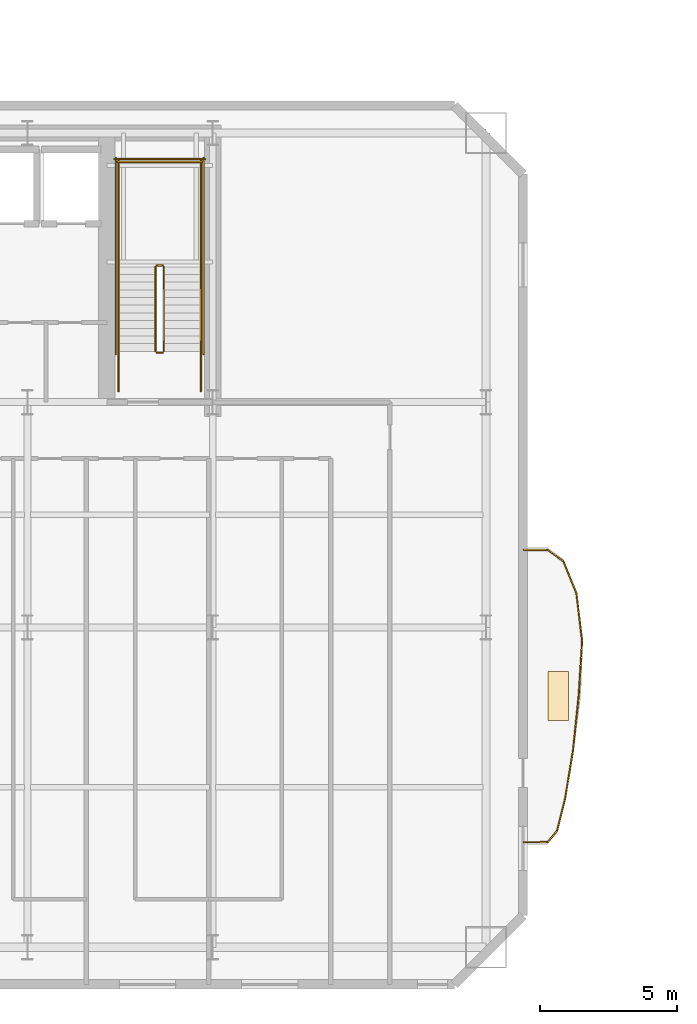
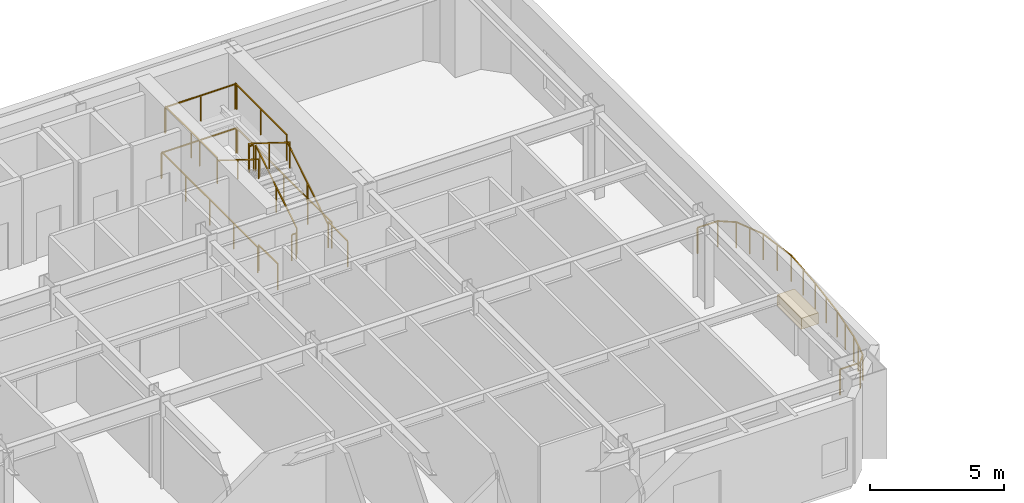
# One storey, part 13 of 15: 24 railings, 1 covering.
"""IFC4 building model written with IfcOpenShell, lengths in metres."""

from ifc_helpers import new_model, si_unit, direction, frame, origin, origin_2d, place, context, subcontext, project, spatial, rectangle, extrude, material, layer, layer_set, type_object, element, save


model = new_model("IFC4")

# Units and contexts
model_context = context("Model", 3, precision=1e-05, world=origin(), true_north=direction((0.0, 1.0)))
body_context = subcontext(model_context, "Body", "Model", "MODEL_VIEW")
ifc_project = project(units=[si_unit("LENGTHUNIT", "METRE"), si_unit("AREAUNIT", "SQUARE_METRE"), si_unit("VOLUMEUNIT", "CUBIC_METRE"), si_unit("PLANEANGLEUNIT", "RADIAN"), si_unit("MASSUNIT", "GRAM", prefix="KILO")], contexts=[model_context])

# Site, building, storey
site_placement = place(None, origin())
site = spatial("IfcSite", under=ifc_project, at=site_placement, CompositionType="ELEMENT")
building_placement = place(site_placement, origin())
building = spatial("IfcBuilding", under=site, at=building_placement, Name="Haevon Station Towers", CompositionType="ELEMENT")
storey_placement = place(building_placement, frame((0.0, 0.0, 77.699951171875)))
storey = spatial("IfcBuildingStorey", under=building, at=storey_placement, Name="L20", CompositionType="ELEMENT", Elevation=77.699951171875)

# Railings
ifc_material_1 = material(Name="Steel S355", Category="steel")
railing_type_1 = type_object("IfcRailingType", Name="GRD-EXT1200", PredefinedType="GUARDRAIL", material=ifc_material_1)
railing_1_placement = place(storey_placement, frame((62.323486328125, 22.177734375, 0.0)))
element("IfcRailing", 1, at=railing_1_placement, inside=storey, type_object=railing_type_1, Name="L20 Perimeter Guardrail 1", PredefinedType="GUARDRAIL", context=body_context, shape_type="SweptSolid", body=[
    extrude(rectangle(XDim=0.048095703125, YDim=0.048095703125, at=origin_2d()), frame((0.0, 0.0, 1.17578125), z_axis=(0.999997476494, 0.002246554286, 0.0), x_axis=(-0.002246554286, 0.999997476494, 0.0)), (0.0, 0.0, 1.0), 0.869384765625),
    extrude(rectangle(XDim=0.0419921875, YDim=0.0419921875, at=origin_2d()), origin(), (0.0, 0.0, 1.0), 1.15185546875),
    extrude(rectangle(XDim=0.0419921875, YDim=0.0419921875, at=origin_2d()), frame((0.869384765625, 0.001953125, 0.0)), (0.0, 0.0, 1.0), 1.15185546875),
])
railing_2_placement = place(storey_placement, frame((63.19287109375, 22.1796875, 0.0)))
element("IfcRailing", 2, at=railing_2_placement, inside=storey, type_object=railing_type_1, Name="L20 Perimeter Guardrail 2", PredefinedType="GUARDRAIL", context=body_context, shape_type="SweptSolid", body=[
    extrude(rectangle(XDim=0.048095703125, YDim=0.048095703125, at=origin_2d()), frame((0.0, 0.0, 1.17578125), z_axis=(0.643351902816, 0.765570590568, 0.0), x_axis=(-0.765570590568, 0.643351902816, 0.0)), (0.0, 0.0, 1.0), 0.537353515625),
    extrude(rectangle(XDim=0.0419921875, YDim=0.0419921875, at=origin_2d()), origin(), (0.0, 0.0, 1.0), 1.15185546875),
    extrude(rectangle(XDim=0.0419921875, YDim=0.0419921875, at=origin_2d()), frame((0.345703125, 0.411376953125, 0.0)), (0.0, 0.0, 1.0), 1.15185546875),
])
railing_3_placement = place(storey_placement, frame((63.53857421875, 22.591064453125, 0.0)))
element("IfcRailing", 3, at=railing_3_placement, inside=storey, type_object=railing_type_1, Name="L20 Perimeter Guardrail 3", PredefinedType="GUARDRAIL", context=body_context, shape_type="SweptSolid", body=[
    extrude(rectangle(XDim=0.048095703125, YDim=0.048095703125, at=origin_2d()), frame((0.0, 0.0, 1.17578125), z_axis=(0.243392420276, 0.969927899254, 0.0), x_axis=(-0.969927899254, 0.243392420276, 0.0)), (0.0, 0.0, 1.0), 1.206787109375),
    extrude(rectangle(XDim=0.0419921875, YDim=0.0419921875, at=origin_2d()), origin(), (0.0, 0.0, 1.0), 1.15185546875),
    extrude(rectangle(XDim=0.0419921875, YDim=0.0419921875, at=origin_2d()), frame((0.14697265625, 0.585205078125, 0.0)), (0.0, 0.0, 1.0), 1.15185546875),
    extrude(rectangle(XDim=0.0419921875, YDim=0.0419921875, at=origin_2d()), frame((0.293701171875, 1.17041015625, 0.0)), (0.0, 0.0, 1.0), 1.15185546875),
])
railing_4_placement = place(storey_placement, frame((63.832275390625, 23.761474609375, 0.0)))
element("IfcRailing", 4, at=railing_4_placement, inside=storey, type_object=railing_type_1, Name="L20 Perimeter Guardrail 4", PredefinedType="GUARDRAIL", context=body_context, shape_type="SweptSolid", body=[
    extrude(rectangle(XDim=0.048095703125, YDim=0.048095703125, at=origin_2d()), frame((0.0, 0.0, 1.17578125), z_axis=(0.162232317079, 0.986752590721, 0.0), x_axis=(-0.986752590721, 0.162232317079, 0.0)), (0.0, 0.0, 1.0), 1.772705078125),
    extrude(rectangle(XDim=0.0419921875, YDim=0.0419921875, at=origin_2d()), origin(), (0.0, 0.0, 1.0), 1.15185546875),
    extrude(rectangle(XDim=0.0419921875, YDim=0.0419921875, at=origin_2d()), frame((0.143798828125, 0.87451171875, 0.0)), (0.0, 0.0, 1.0), 1.15185546875),
    extrude(rectangle(XDim=0.0419921875, YDim=0.0419921875, at=origin_2d()), frame((0.28759765625, 1.749267578125, 0.0)), (0.0, 0.0, 1.0), 1.15185546875),
])
railing_5_placement = place(storey_placement, frame((64.119873046875, 25.5107421875, 0.0)))
element("IfcRailing", 5, at=railing_5_placement, inside=storey, type_object=railing_type_1, Name="L20 Perimeter Guardrail 5", PredefinedType="GUARDRAIL", context=body_context, shape_type="SweptSolid", body=[
    extrude(rectangle(XDim=0.048095703125, YDim=0.048095703125, at=origin_2d()), frame((0.0, 0.0, 1.17578125), z_axis=(0.102549270738, 0.994727926154, 0.0), x_axis=(-0.994727926154, 0.102549270738, 0.0)), (0.0, 0.0, 1.0), 1.999755859375),
    extrude(rectangle(XDim=0.0419921875, YDim=0.0419921875, at=origin_2d()), origin(), (0.0, 0.0, 1.0), 1.15185546875),
    extrude(rectangle(XDim=0.0419921875, YDim=0.0419921875, at=origin_2d()), frame((0.1025390625, 0.99462890625, 0.0)), (0.0, 0.0, 1.0), 1.15185546875),
    extrude(rectangle(XDim=0.0419921875, YDim=0.0419921875, at=origin_2d()), frame((0.205078125, 1.9892578125, 0.0)), (0.0, 0.0, 1.0), 1.15185546875),
])
railing_6_placement = place(storey_placement, frame((64.324951171875, 27.5, 0.0)))
element("IfcRailing", 6, at=railing_6_placement, inside=storey, type_object=railing_type_1, Name="L20 Perimeter Guardrail 6", PredefinedType="GUARDRAIL", context=body_context, shape_type="SweptSolid", body=[
    extrude(rectangle(XDim=0.048095703125, YDim=0.048095703125, at=origin_2d()), frame((0.0, 0.0, 1.17578125), z_axis=(0.06356545678, 0.997977671446, 0.0), x_axis=(-0.997977671446, 0.06356545678, 0.0)), (0.0, 0.0, 1.0), 1.997314453125),
    extrude(rectangle(XDim=0.0419921875, YDim=0.0419921875, at=origin_2d()), origin(), (0.0, 0.0, 1.0), 1.15185546875),
    extrude(rectangle(XDim=0.0419921875, YDim=0.0419921875, at=origin_2d()), frame((0.0634765625, 0.99658203125, 0.0)), (0.0, 0.0, 1.0), 1.15185546875),
    extrude(rectangle(XDim=0.0419921875, YDim=0.0419921875, at=origin_2d()), frame((0.126953125, 1.9931640625, 0.0)), (0.0, 0.0, 1.0), 1.15185546875),
])
railing_7_placement = place(storey_placement, frame((64.451904296875, 29.4931640625, 0.0)))
element("IfcRailing", 7, at=railing_7_placement, inside=storey, type_object=railing_type_1, Name="L20 Perimeter Guardrail 7", PredefinedType="GUARDRAIL", context=body_context, shape_type="SweptSolid", body=[
    extrude(rectangle(XDim=0.048095703125, YDim=0.048095703125, at=origin_2d()), frame((0.0, 0.0, 1.17578125), z_axis=(-0.117727244711, 0.99304596865, 0.0), x_axis=(-0.99304596865, -0.117727244711, 0.0)), (0.0, 0.0, 1.0), 1.758544921875),
    extrude(rectangle(XDim=0.0419921875, YDim=0.0419921875, at=origin_2d()), origin(), (0.0, 0.0, 1.0), 1.15185546875),
    extrude(rectangle(XDim=0.0419921875, YDim=0.0419921875, at=origin_2d()), frame((-0.103515625, 0.873046875, 0.0)), (0.0, 0.0, 1.0), 1.15185546875),
    extrude(rectangle(XDim=0.0419921875, YDim=0.0419921875, at=origin_2d()), frame((-0.20703125, 1.746337890625, 0.0)), (0.0, 0.0, 1.0), 1.15185546875),
])
railing_8_placement = place(storey_placement, frame((64.244873046875, 31.239501953125, 0.0)))
element("IfcRailing", 8, at=railing_8_placement, inside=storey, type_object=railing_type_1, Name="L20 Perimeter Guardrail 8", PredefinedType="GUARDRAIL", context=body_context, shape_type="SweptSolid", body=[
    extrude(rectangle(XDim=0.048095703125, YDim=0.048095703125, at=origin_2d()), frame((0.0, 0.0, 1.17578125), z_axis=(-0.379369817486, 0.925245125132, 0.0), x_axis=(-0.925245125132, -0.379369817486, 0.0)), (0.0, 0.0, 1.0), 1.263916015625),
    extrude(rectangle(XDim=0.0419921875, YDim=0.0419921875, at=origin_2d()), origin(), (0.0, 0.0, 1.0), 1.15185546875),
    extrude(rectangle(XDim=0.0419921875, YDim=0.0419921875, at=origin_2d()), frame((-0.23974609375, 0.584716796875, 0.0)), (0.0, 0.0, 1.0), 1.15185546875),
    extrude(rectangle(XDim=0.0419921875, YDim=0.0419921875, at=origin_2d()), frame((-0.4794921875, 1.16943359375, 0.0)), (0.0, 0.0, 1.0), 1.15185546875),
])
railing_9_placement = place(storey_placement, frame((63.765380859375, 32.408935546875, 0.0)))
element("IfcRailing", 9, at=railing_9_placement, inside=storey, type_object=railing_type_1, Name="L20 Perimeter Guardrail 9", PredefinedType="GUARDRAIL", context=body_context, shape_type="SweptSolid", body=[
    extrude(rectangle(XDim=0.048095703125, YDim=0.048095703125, at=origin_2d()), frame((0.0, 0.0, 1.17578125), z_axis=(-0.812092296848, 0.583529006477, 0.0), x_axis=(-0.583529006477, -0.812092296848, 0.0)), (0.0, 0.0, 1.0), 0.705078125),
    extrude(rectangle(XDim=0.0419921875, YDim=0.0419921875, at=origin_2d()), origin(), (0.0, 0.0, 1.0), 1.15185546875),
    extrude(rectangle(XDim=0.0419921875, YDim=0.0419921875, at=origin_2d()), frame((-0.572509765625, 0.411376953125, 0.0)), (0.0, 0.0, 1.0), 1.15185546875),
])
railing_10_placement = place(storey_placement, frame((63.19287109375, 32.8203125, 0.0)))
element("IfcRailing", 10, at=railing_10_placement, inside=storey, type_object=railing_type_1, Name="L20 Perimeter Guardrail 10", PredefinedType="GUARDRAIL", context=body_context, shape_type="SweptSolid", body=[
    extrude(rectangle(XDim=0.048095703125, YDim=0.048095703125, at=origin_2d()), frame((0.0, 0.0, 1.17578125), z_axis=(-0.999997476494, 0.002246554286, 0.0), x_axis=(-0.002246554286, -0.999997476494, 0.0)), (0.0, 0.0, 1.0), 0.869384765625),
    extrude(rectangle(XDim=0.0419921875, YDim=0.0419921875, at=origin_2d()), origin(), (0.0, 0.0, 1.0), 1.15185546875),
    extrude(rectangle(XDim=0.0419921875, YDim=0.0419921875, at=origin_2d()), frame((-0.869384765625, 0.001953125, 0.0)), (0.0, 0.0, 1.0), 1.15185546875),
])
railing_type_2 = type_object("IfcRailingType", Name="GRD-STR1200", PredefinedType="GUARDRAIL", material=ifc_material_1)
railing_11_placement = place(storey_placement, frame((49.219970703125, 40.050048828125, 0.175048828125)))
element("IfcRailing", 11, at=railing_11_placement, inside=storey, type_object=railing_type_2, Name="L20 ST2 Stair Guard 1", PredefinedType="GUARDRAIL", context=body_context, shape_type="SweptSolid", body=[
    extrude(rectangle(XDim=0.048095703125, YDim=0.048095703125, at=origin_2d()), frame((0.0, 0.0, 1.17578125), z_axis=(0.0, 0.847979421464, 0.530029150871), x_axis=(-1.0, 0.0, 0.0)), (0.0, 0.0, 1.0), 3.632080078125),
    extrude(rectangle(XDim=0.0419921875, YDim=0.0419921875, at=origin_2d()), origin(), (0.0, 0.0, 1.0), 1.15185546875),
    extrude(rectangle(XDim=0.0419921875, YDim=0.0419921875, at=origin_2d()), frame((0.0, 1.5400390625, 0.96240234375)), (0.0, 0.0, 1.0), 1.15185546875),
    extrude(rectangle(XDim=0.0419921875, YDim=0.0419921875, at=origin_2d()), frame((0.0, 3.079833984375, 1.925048828125)), (0.0, 0.0, 1.0), 1.15185546875),
])
railing_12_placement = place(storey_placement, frame((49.169921875, 43.179931640625, 2.10009765625)))
element("IfcRailing", 12, at=railing_12_placement, inside=storey, type_object=railing_type_2, Name="L20 ST2 Stair Guard 2", PredefinedType="GUARDRAIL", context=body_context, shape_type="SweptSolid", body=[
    extrude(rectangle(XDim=0.048095703125, YDim=0.048095703125, at=origin_2d()), frame((0.0, 0.0, 1.17578125), z_axis=(-1.0, 0.0, 0.0), x_axis=(0.0, -1.0, 0.0)), (0.0, 0.0, 1.0), 0.199951171875),
    extrude(rectangle(XDim=0.0419921875, YDim=0.0419921875, at=origin_2d()), origin(), (0.0, 0.0, 1.0), 1.15185546875),
    extrude(rectangle(XDim=0.0419921875, YDim=0.0419921875, at=origin_2d()), frame((-0.199951171875, 0.0, 0.0)), (0.0, 0.0, 1.0), 1.15185546875),
])
for number, where, name in (
    (13, (50.570068359375, 43.1298828125, 2.10009765625), "L20 ST2 Stair Guard 3"),
    (14, (47.570068359375, 43.1298828125, 2.10009765625), "L20 ST2 Stair Guard 4"),
):
    element("IfcRailing", number, at=place(storey_placement, frame(where)), inside=storey, type_object=railing_type_2, Name=name, PredefinedType="GUARDRAIL", context=body_context, shape_type="SweptSolid", body=[
        extrude(rectangle(XDim=0.048095703125, YDim=0.048095703125, at=origin_2d()), frame((0.0, 0.0, 1.17578125), z_axis=(0.0, 1.0, 0.0), x_axis=(-1.0, 0.0, 0.0)), (0.0, 0.0, 1.0), 3.8701171875),
        extrude(rectangle(XDim=0.0419921875, YDim=0.0419921875, at=origin_2d()), origin(), (0.0, 0.0, 1.0), 1.15185546875),
        extrude(rectangle(XDim=0.0419921875, YDim=0.0419921875, at=origin_2d()), frame((0.0, 1.93505859375, 0.0)), (0.0, 0.0, 1.0), 1.15185546875),
        extrude(rectangle(XDim=0.0419921875, YDim=0.0419921875, at=origin_2d()), frame((0.0, 3.8701171875, 0.0)), (0.0, 0.0, 1.0), 1.15185546875),
    ])
railing_13_placement = place(storey_placement, frame((50.6201171875, 46.949951171875, 2.10009765625)))
element("IfcRailing", 15, at=railing_13_placement, inside=storey, type_object=railing_type_2, Name="L20 ST2 Stair Guard 5", PredefinedType="GUARDRAIL", context=body_context, shape_type="SweptSolid", body=[
    extrude(rectangle(XDim=0.048095703125, YDim=0.048095703125, at=origin_2d()), frame((0.0, 0.0, 1.17578125), z_axis=(-1.0, 0.0, 0.0), x_axis=(0.0, -1.0, 0.0)), (0.0, 0.0, 1.0), 3.10009765625),
    extrude(rectangle(XDim=0.0419921875, YDim=0.0419921875, at=origin_2d()), origin(), (0.0, 0.0, 1.0), 1.15185546875),
    extrude(rectangle(XDim=0.0419921875, YDim=0.0419921875, at=origin_2d()), frame((-1.550048828125, 0.0, 0.0)), (0.0, 0.0, 1.0), 1.15185546875),
    extrude(rectangle(XDim=0.0419921875, YDim=0.0419921875, at=origin_2d()), frame((-3.10009765625, 0.0, 0.0)), (0.0, 0.0, 1.0), 1.15185546875),
])
railing_14_placement = place(storey_placement, frame((48.919921875, 43.1298828125, 2.275146484375)))
element("IfcRailing", 16, at=railing_14_placement, inside=storey, type_object=railing_type_2, Name="L20 ST2 Stair Guard 6", PredefinedType="GUARDRAIL", context=body_context, shape_type="SweptSolid", body=[
    extrude(rectangle(XDim=0.048095703125, YDim=0.048095703125, at=origin_2d()), frame((0.0, 0.0, 1.17578125), z_axis=(0.0, -0.848009633417, 0.529980812513), x_axis=(1.0, 0.0, 0.0)), (0.0, 0.0, 1.0), 3.6318359375),
    extrude(rectangle(XDim=0.0419921875, YDim=0.0419921875, at=origin_2d()), origin(), (0.0, 0.0, 1.0), 1.15185546875),
    extrude(rectangle(XDim=0.0419921875, YDim=0.0419921875, at=origin_2d()), frame((0.0, -1.5400390625, 0.96240234375)), (0.0, 0.0, 1.0), 1.15185546875),
    extrude(rectangle(XDim=0.0419921875, YDim=0.0419921875, at=origin_2d()), frame((0.0, -3.079833984375, 1.9248046875)), (0.0, 0.0, 1.0), 1.15185546875),
])
railing_15_placement = place(storey_placement, frame((49.169921875, 40.0, 0.0)))
element("IfcRailing", 17, at=railing_15_placement, inside=storey, type_object=railing_type_2, Name="L20 ST2 Stair Guard 7", PredefinedType="GUARDRAIL", context=body_context, shape_type="SweptSolid", body=[
    extrude(rectangle(XDim=0.048095703125, YDim=0.048095703125, at=origin_2d()), frame((0.0, 0.0, 1.17578125), z_axis=(-1.0, 0.0, 0.0), x_axis=(0.0, -1.0, 0.0)), (0.0, 0.0, 1.0), 0.199951171875),
    extrude(rectangle(XDim=0.0419921875, YDim=0.0419921875, at=origin_2d()), origin(), (0.0, 0.0, 1.0), 1.15185546875),
    extrude(rectangle(XDim=0.0419921875, YDim=0.0419921875, at=origin_2d()), frame((-0.199951171875, 0.0, 0.0)), (0.0, 0.0, 1.0), 1.15185546875),
])
for number, where, name in (
    (18, (50.570068359375, 38.60009765625, 0.0), "L20 ST2 Stair Guard 8"),
    (19, (47.570068359375, 38.60009765625, 0.0), "L20 ST2 Stair Guard 9"),
):
    element("IfcRailing", number, at=place(storey_placement, frame(where)), inside=storey, type_object=railing_type_2, Name=name, PredefinedType="GUARDRAIL", context=body_context, shape_type="SweptSolid", body=[
        extrude(rectangle(XDim=0.048095703125, YDim=0.048095703125, at=origin_2d()), frame((0.0, 0.0, 1.17578125), z_axis=(0.0, 1.0, 0.0), x_axis=(-1.0, 0.0, 0.0)), (0.0, 0.0, 1.0), 1.449951171875),
        extrude(rectangle(XDim=0.0419921875, YDim=0.0419921875, at=origin_2d()), origin(), (0.0, 0.0, 1.0), 1.15185546875),
        extrude(rectangle(XDim=0.0419921875, YDim=0.0419921875, at=origin_2d()), frame((0.0, 1.449951171875, 0.0)), (0.0, 0.0, 1.0), 1.15185546875),
    ])
for number, where, name in (
    (20, (50.669921875, 39.949951171875, 0.0), "L20 ST2 Stair Guard 10"),
    (21, (47.469970703125, 39.949951171875, 0.0), "L20 ST2 Stair Guard 11"),
):
    element("IfcRailing", number, at=place(storey_placement, frame(where)), inside=storey, type_object=railing_type_2, Name=name, PredefinedType="GUARDRAIL", context=body_context, shape_type="SweptSolid", body=[
        extrude(rectangle(XDim=0.048095703125, YDim=0.048095703125, at=origin_2d()), frame((0.0, 0.0, 1.17578125), z_axis=(0.0, 1.0, 0.0), x_axis=(-1.0, 0.0, 0.0)), (0.0, 0.0, 1.0), 7.150146484375),
        extrude(rectangle(XDim=0.0419921875, YDim=0.0419921875, at=origin_2d()), origin(), (0.0, 0.0, 1.0), 1.15185546875),
        extrude(rectangle(XDim=0.0419921875, YDim=0.0419921875, at=origin_2d()), frame((0.0, 1.78759765625, 0.0)), (0.0, 0.0, 1.0), 1.15185546875),
        extrude(rectangle(XDim=0.0419921875, YDim=0.0419921875, at=origin_2d()), frame((0.0, 3.5751953125, 0.0)), (0.0, 0.0, 1.0), 1.15185546875),
        extrude(rectangle(XDim=0.0419921875, YDim=0.0419921875, at=origin_2d()), frame((0.0, 5.362548828125, 0.0)), (0.0, 0.0, 1.0), 1.15185546875),
        extrude(rectangle(XDim=0.0419921875, YDim=0.0419921875, at=origin_2d()), frame((0.0, 7.150146484375, 0.0)), (0.0, 0.0, 1.0), 1.15185546875),
    ])
railing_16_placement = place(storey_placement, frame((50.719970703125, 47.050048828125, 0.0)))
element("IfcRailing", 22, at=railing_16_placement, inside=storey, type_object=railing_type_2, Name="L20 ST2 Stair Guard 12", PredefinedType="GUARDRAIL", context=body_context, shape_type="SweptSolid", body=[
    extrude(rectangle(XDim=0.048095703125, YDim=0.048095703125, at=origin_2d()), frame((0.0, 0.0, 1.17578125), z_axis=(-1.0, 0.0, 0.0), x_axis=(0.0, -1.0, 0.0)), (0.0, 0.0, 1.0), 3.300048828125),
    extrude(rectangle(XDim=0.0419921875, YDim=0.0419921875, at=origin_2d()), origin(), (0.0, 0.0, 1.0), 1.15185546875),
    extrude(rectangle(XDim=0.0419921875, YDim=0.0419921875, at=origin_2d()), frame((-1.64990234375, 0.0, 0.0)), (0.0, 0.0, 1.0), 1.15185546875),
    extrude(rectangle(XDim=0.0419921875, YDim=0.0419921875, at=origin_2d()), frame((-3.300048828125, 0.0, 0.0)), (0.0, 0.0, 1.0), 1.15185546875),
])
railing_type_3 = type_object("IfcRailingType", Name="HND-STR900", PredefinedType="HANDRAIL", material=ifc_material_1)
railing_17_placement = place(storey_placement, frame((50.570068359375, 40.050048828125, 0.175048828125)))
element("IfcRailing", 23, at=railing_17_placement, inside=storey, type_object=railing_type_3, Name="L20 ST2 Stair Handrail 1", PredefinedType="HANDRAIL", context=body_context, shape_type="SweptSolid", body=[
    extrude(rectangle(XDim=0.048095703125, YDim=0.048095703125, at=origin_2d()), frame((0.0, 0.0, 0.8759765625), z_axis=(0.0, 0.847979421464, 0.530029150871), x_axis=(-1.0, 0.0, 0.0)), (0.0, 0.0, 1.0), 3.632080078125),
    extrude(rectangle(XDim=0.0419921875, YDim=0.0419921875, at=origin_2d()), origin(), (0.0, 0.0, 1.0), 0.851806640625),
    extrude(rectangle(XDim=0.0419921875, YDim=0.0419921875, at=origin_2d()), frame((0.0, 1.5400390625, 0.96240234375)), (0.0, 0.0, 1.0), 0.851806640625),
    extrude(rectangle(XDim=0.0419921875, YDim=0.0419921875, at=origin_2d()), frame((0.0, 3.079833984375, 1.925048828125)), (0.0, 0.0, 1.0), 0.851806640625),
])
railing_18_placement = place(storey_placement, frame((47.570068359375, 43.1298828125, 2.275146484375)))
element("IfcRailing", 24, at=railing_18_placement, inside=storey, type_object=railing_type_3, Name="L20 ST2 Stair Handrail 2", PredefinedType="HANDRAIL", context=body_context, shape_type="SweptSolid", body=[
    extrude(rectangle(XDim=0.048095703125, YDim=0.048095703125, at=origin_2d()), frame((0.0, 0.0, 0.8759765625), z_axis=(0.0, -0.848009633417, 0.529980812513), x_axis=(1.0, 0.0, 0.0)), (0.0, 0.0, 1.0), 3.6318359375),
    extrude(rectangle(XDim=0.0419921875, YDim=0.0419921875, at=origin_2d()), origin(), (0.0, 0.0, 1.0), 0.851806640625),
    extrude(rectangle(XDim=0.0419921875, YDim=0.0419921875, at=origin_2d()), frame((0.0, -1.5400390625, 0.96240234375)), (0.0, 0.0, 1.0), 0.851806640625),
    extrude(rectangle(XDim=0.0419921875, YDim=0.0419921875, at=origin_2d()), frame((0.0, -3.079833984375, 1.9248046875)), (0.0, 0.0, 1.0), 0.851806640625),
])

# Covering
ifc_material_2 = material(Name="Architectural planter GRC", Category="concrete")
ifc_layer = layer(ifc_material_2, 0.550048828125)
ifc_layer_set = layer_set([ifc_layer], Name="Architectural planter GRC")
covering_type = type_object("IfcCoveringType", Name="PLN-GRC550", PredefinedType="MOLDING", material=ifc_layer_set)
covering_placement = place(storey_placement, frame((63.583251953125, 27.5, 0.0), z_axis=(0.0, 0.0, 1.0), x_axis=(1.0, 0.0, 0.0)))
element("IfcCovering", 25, at=covering_placement, inside=storey, type_object=covering_type, Name="Tower 1 L20 Scalloped Balcony PLANTER", PredefinedType="MOLDING", context=body_context, shape_type="SweptSolid", body=[
    extrude(rectangle(XDim=0.75, YDim=1.800048828125, at=origin_2d()), origin(), (0.0, 0.0, 1.0), 0.5),
])

save(model, "model.ifc")
